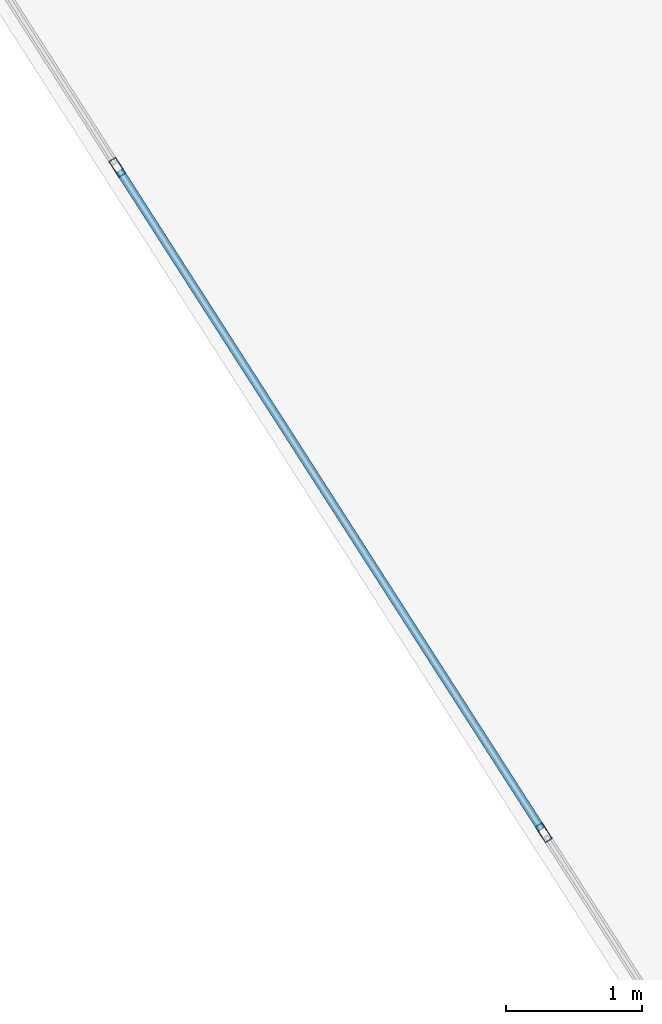
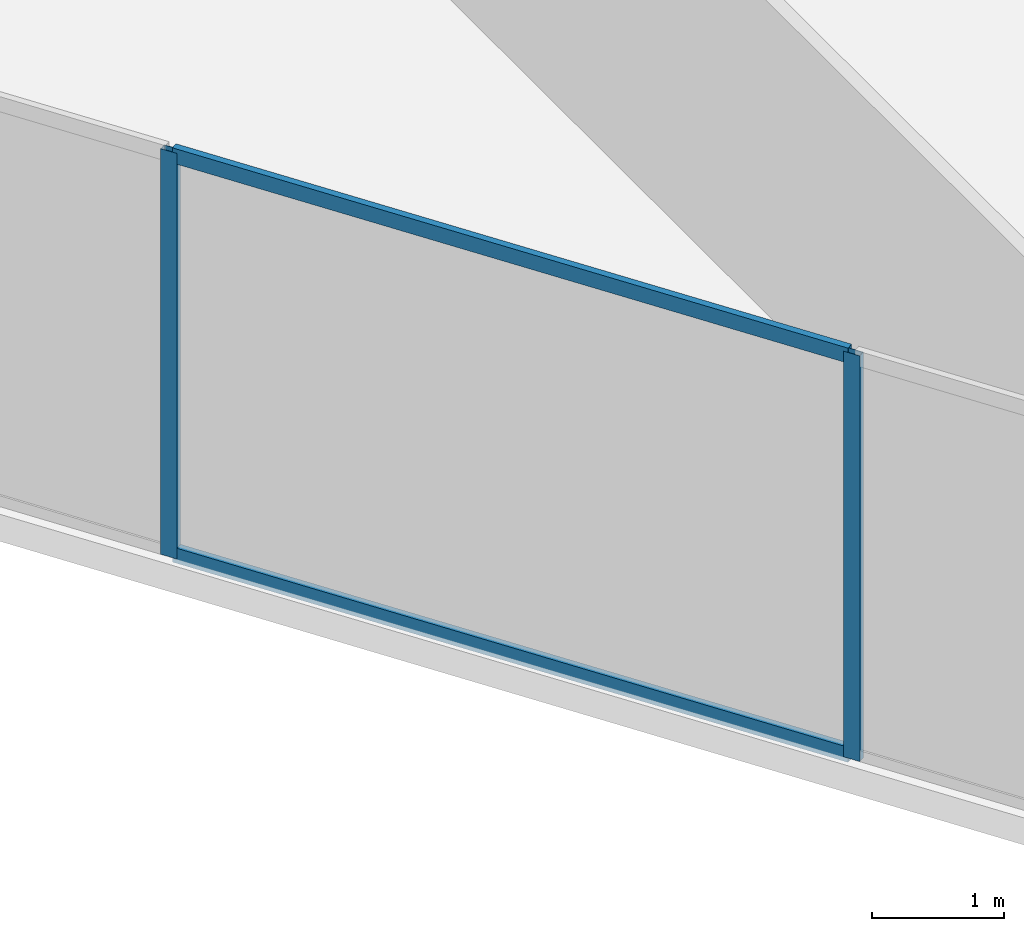
# One storey, part 17 of 26: 4 members, 1 element without a shape of its own.
"""IFC4 building model written with IfcOpenShell, lengths in metres."""

from ifc_helpers import new_model, si_unit, direction, frame, origin, origin_2d, place, context, subcontext, project, spatial, hollow_rectangle, extrude, material, layer, layer_set, material_profile, profile_set, type_object, element, aggregate, save


model = new_model("IFC4")

# Units and contexts
model_context = context("Model", 3, precision=1e-05, world=origin(), true_north=direction((0.0, 1.0)))
body_context = subcontext(model_context, "Body", "Model", "MODEL_VIEW")
ifc_project = project(units=[si_unit("LENGTHUNIT", "METRE"), si_unit("AREAUNIT", "SQUARE_METRE"), si_unit("VOLUMEUNIT", "CUBIC_METRE"), si_unit("PLANEANGLEUNIT", "RADIAN"), si_unit("MASSUNIT", "GRAM", prefix="KILO")], contexts=[model_context])

# Site, building, storey
site_placement = place(None, origin())
site = spatial("IfcSite", under=ifc_project, at=site_placement, CompositionType="ELEMENT")
building_placement = place(site_placement, origin())
building = spatial("IfcBuilding", under=site, at=building_placement, Name="Kravanh Interchange Tower", CompositionType="ELEMENT")
storey_placement = place(building_placement, frame((0.0, 0.0, 112.0)))
storey = spatial("IfcBuildingStorey", under=building, at=storey_placement, Name="L26", CompositionType="ELEMENT", Elevation=112.0)

# Curtain wall, members
ifc_material_1 = material(Name="Anodised Bronze Aluminium", Category="aluminium")
ifc_layer = layer(ifc_material_1, 0.179931640625)
ifc_layer_set = layer_set([ifc_layer], Name="Unitised Curtain Wall System CW-Z2 Mid Office")
curtain_wall_type = type_object("IfcCurtainWallType", Name="Unitised Curtain Wall System CW-Z2 Mid Office", PredefinedType="NOTDEFINED", material=ifc_layer_set)
curtain_wall_placement = place(storey_placement, origin())
curtain_wall = element("IfcCurtainWall", 1, at=curtain_wall_placement, inside=storey, type_object=curtain_wall_type, Name="L26 Unitised Curtain Wall CW-L26-04", PredefinedType="NOTDEFINED")
ifc_material_2 = material(Name="Anodised Bronze Aluminium", Category="aluminium")
ifc_material_profile_1 = material_profile(ifc_material_2, hollow_rectangle(XDim=0.06005859375, YDim=0.139892578125, WallThickness=0.00390625, at=origin_2d()), Name="ALU60X140X4")
ifc_profile_set_1 = profile_set([ifc_material_profile_1], Name="Anodised Bronze Aluminium")
member_type_1 = type_object("IfcMemberType", Name="Curtain Wall Mullion ALU60X140X4 Bronze", PredefinedType="MULLION", material=ifc_profile_set_1)
member_1_placement = place(storey_placement, frame((45.8828125, 16.12109375, 0.0), z_axis=(0.0, 0.0, 1.0), x_axis=(-0.841879939476, -0.539664865919, 0.0)))
member_1 = element("IfcMember", 2, at=member_1_placement, type_object=member_type_1, Name="CW-Z2 mullion 3", PredefinedType="MULLION", context=body_context, shape_type="SweptSolid", body=[
    extrude(hollow_rectangle(XDim=0.06005859375, YDim=0.139892578125, WallThickness=0.00390625, at=origin_2d()), origin(), (0.0, 0.0, 1.0), 3.75),
])
member_2_placement = place(storey_placement, frame((42.741455078125, 21.021728515625, 0.0), z_axis=(0.0, 0.0, 1.0), x_axis=(-0.841879939476, -0.539664865919, 0.0)))
member_2 = element("IfcMember", 3, at=member_2_placement, type_object=member_type_1, Name="CW-Z2 mullion 4", PredefinedType="MULLION", context=body_context, shape_type="SweptSolid", body=[
    extrude(hollow_rectangle(XDim=0.06005859375, YDim=0.139892578125, WallThickness=0.00390625, at=origin_2d()), origin(), (0.0, 0.0, 1.0), 3.75),
])
ifc_material_3 = material(Name="Anodised Bronze Aluminium", Category="aluminium")
ifc_material_profile_2 = material_profile(ifc_material_3, hollow_rectangle(XDim=0.06005859375, YDim=0.139892578125, WallThickness=0.00390625, at=origin_2d()), Name="ALU60X140X4")
ifc_profile_set_2 = profile_set([ifc_material_profile_2], Name="Anodised Bronze Aluminium")
member_type_2 = type_object("IfcMemberType", Name="Curtain Wall Transom ALU60X140X4 Bronze", PredefinedType="USERDEFINED", material=ifc_profile_set_2)
member_3_placement = place(storey_placement, frame((45.86669921875, 16.146484375, 0.030029296875), z_axis=(-0.539677666788, 0.84187173368, 0.0), x_axis=(-0.84187173368, -0.539677666788, 0.0)))
member_3 = element("IfcMember", 4, at=member_3_placement, type_object=member_type_2, Name="CW-Z2 transom 3.1", ObjectType="TRANSOM", PredefinedType="USERDEFINED", context=body_context, shape_type="SweptSolid", body=[
    extrude(hollow_rectangle(XDim=0.06005859375, YDim=0.139892578125, WallThickness=0.00390625, at=origin_2d()), origin(), (0.0, 0.0, 1.0), 5.760986328125),
])
member_4_placement = place(storey_placement, frame((45.86669921875, 16.146484375, 3.719970703125), z_axis=(-0.539677666788, 0.84187173368, 0.0), x_axis=(-0.84187173368, -0.539677666788, 0.0)))
member_4 = element("IfcMember", 5, at=member_4_placement, type_object=member_type_2, Name="CW-Z2 transom 3.2", ObjectType="TRANSOM", PredefinedType="USERDEFINED", context=body_context, shape_type="SweptSolid", body=[
    extrude(hollow_rectangle(XDim=0.06005859375, YDim=0.139892578125, WallThickness=0.00390625, at=origin_2d()), origin(), (0.0, 0.0, 1.0), 5.760986328125),
])
aggregate(curtain_wall, [member_1, member_2, member_3, member_4])

save(model, "model.ifc")
